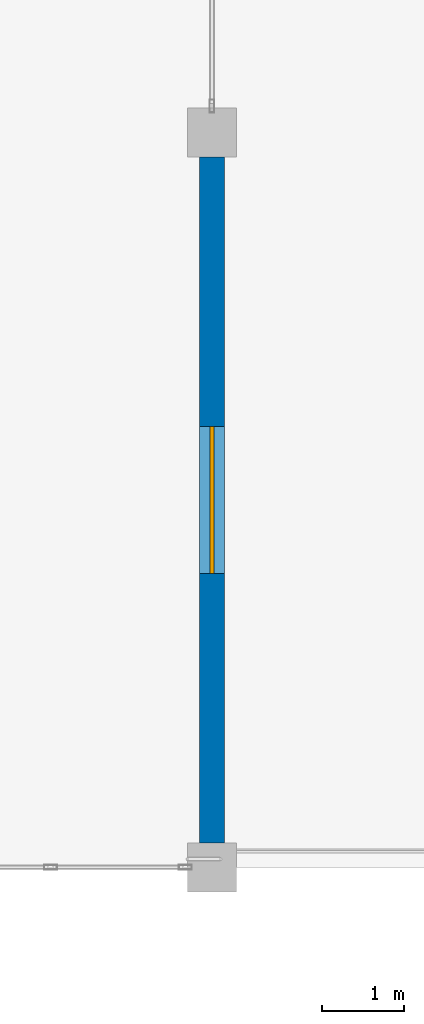
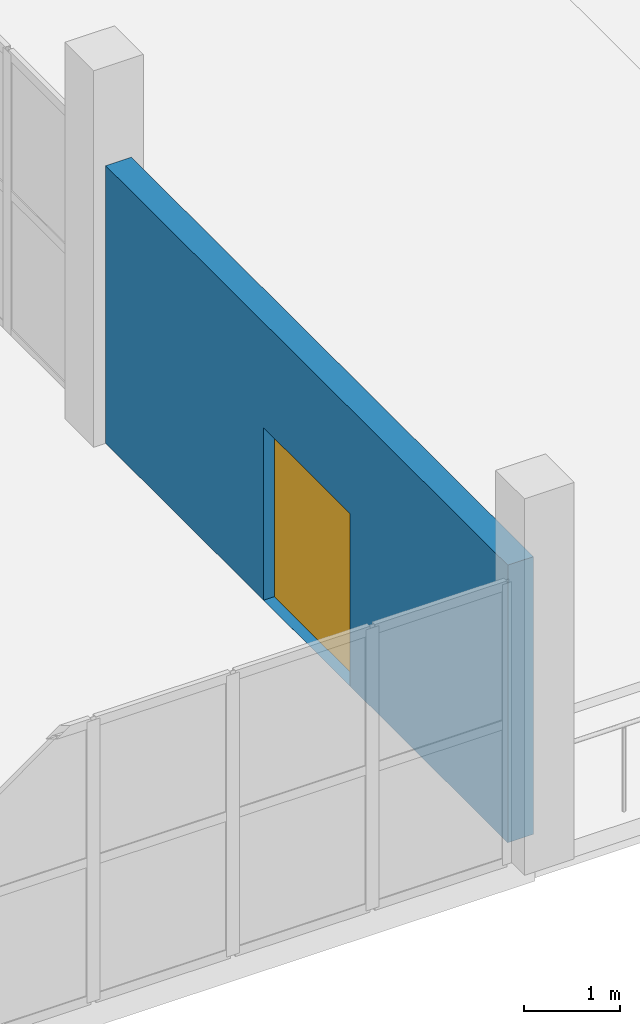
# One storey, part 66 of 89: 1 door, 1 wall, 1 opening.
"""IFC4 building model written with IfcOpenShell, lengths in metres."""

from ifc_helpers import new_model, si_unit, direction, frame, frame_2d, origin, place, context, subcontext, project, spatial, rectangle, extrude, material, layer, layer_set, type_object, element, fill, save


model = new_model("IFC4")

# Units and contexts
model_context = context("Model", 3, precision=1e-05, world=origin(), true_north=direction((0.0, 1.0)))
body_context = subcontext(model_context, "Body", "Model", "MODEL_VIEW")
ifc_project = project(units=[si_unit("LENGTHUNIT", "METRE"), si_unit("AREAUNIT", "SQUARE_METRE"), si_unit("VOLUMEUNIT", "CUBIC_METRE"), si_unit("PLANEANGLEUNIT", "RADIAN"), si_unit("MASSUNIT", "GRAM", prefix="KILO")], contexts=[model_context])

# Site, building, storey
site_placement = place(None, origin())
site = spatial("IfcSite", under=ifc_project, at=site_placement, CompositionType="ELEMENT")
building_placement = place(site_placement, origin())
building = spatial("IfcBuilding", under=site, at=building_placement, Name="Dornveld Trade and Exhibition Forum", CompositionType="ELEMENT")
storey_placement = place(building_placement, frame((0.0, 0.0, 12.0)))
storey = spatial("IfcBuildingStorey", under=building, at=storey_placement, Name="L02", CompositionType="ELEMENT", Elevation=12.0)

# Wall, opening, door
ifc_material_1 = material(Name="Precast concrete C50/60", Category="concrete")
ifc_layer = layer(ifc_material_1, 0.31005859375)
ifc_layer_set = layer_set([ifc_layer], Name="Precast concrete C50/60")
wall_type = type_object("IfcWallType", Name="WL-EXT-PC310", PredefinedType="SOLIDWALL", material=ifc_layer_set)
wall_placement = place(storey_placement, frame((207.0, 108.299560546875, 0.0), z_axis=(0.0, 0.0, 1.0), x_axis=(0.0, 1.0, 0.0)))
wall = element("IfcWall", 1, at=wall_placement, inside=storey, type_object=wall_type, Name="L02 precast facade wall 9", PredefinedType="SOLIDWALL", context=body_context, shape_type="SweptSolid", body=[
    extrude(rectangle(XDim=8.40087890625, YDim=0.31005859375, at=frame_2d((4.200439453125, 0.0))), origin(), (0.0, 0.0, 1.0), 3.5400390625),
])
opening_placement = place(wall_placement, frame((3.300537109375, 0.0, 0.0)))
opening = element("IfcOpeningElement", 2, at=opening_placement, cuts=wall, Name="Opening TD-05", PredefinedType="OPENING", context=body_context, shape_type="SweptSolid", body=[
    extrude(rectangle(XDim=1.800048828125, YDim=2.199951171875, at=frame_2d((0.89990234375, 1.10009765625))), frame((0.0, 0.1650390625, 0.0), z_axis=(0.0, -1.0, 0.0), x_axis=(1.0, 0.0, 0.0)), (0.0, 0.0, 1.0), 0.330078125),
])
ifc_material_2 = material(Name="Dark-bronze anodised aluminium and laminated safety glass", Category="aluminium")
door_type = type_object("IfcDoorType", Name="DR-TER-180x220", OperationType="NOTDEFINED", PredefinedType="DOOR", material=ifc_material_2)
door_placement = place(opening_placement, frame((1.800048828125, 0.0, 0.0), z_axis=(0.0, 0.0, 1.0), x_axis=(-1.0, 0.0, 0.0)))
door = element("IfcDoor", 3, at=door_placement, inside=storey, type_object=door_type, Name="L02 terrace access door 5", OperationType="SINGLE_SWING_LEFT", OverallHeight=2.199951171875, OverallWidth=1.800048828125, PredefinedType="DOOR", context=body_context, shape_type="SweptSolid", body=[
    extrude(rectangle(XDim=1.800048828125, YDim=2.199951171875, at=frame_2d((0.89990234375, 1.10009765625))), frame((0.0, 0.02490234375, 0.0), z_axis=(0.0, -1.0, 0.0), x_axis=(1.0, 0.0, 0.0)), (0.0, 0.0, 1.0), 0.050048828125),
])
fill(opening, door)

save(model, "model.ifc")
